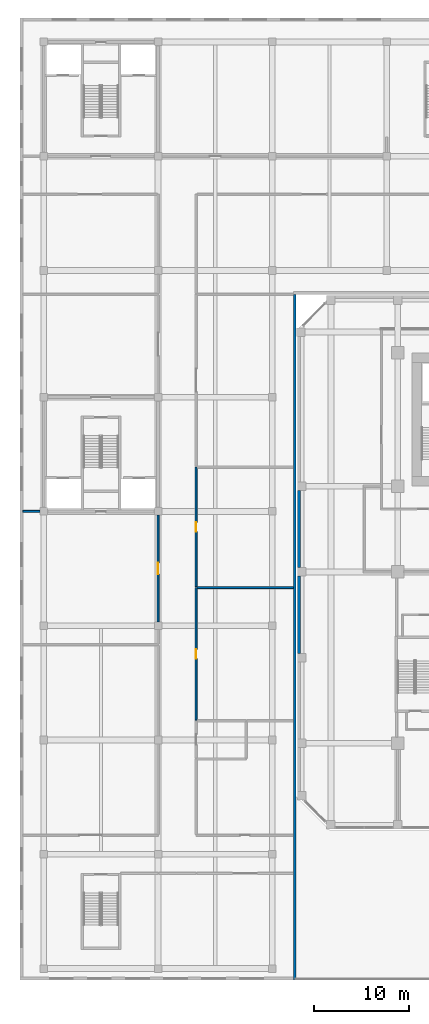
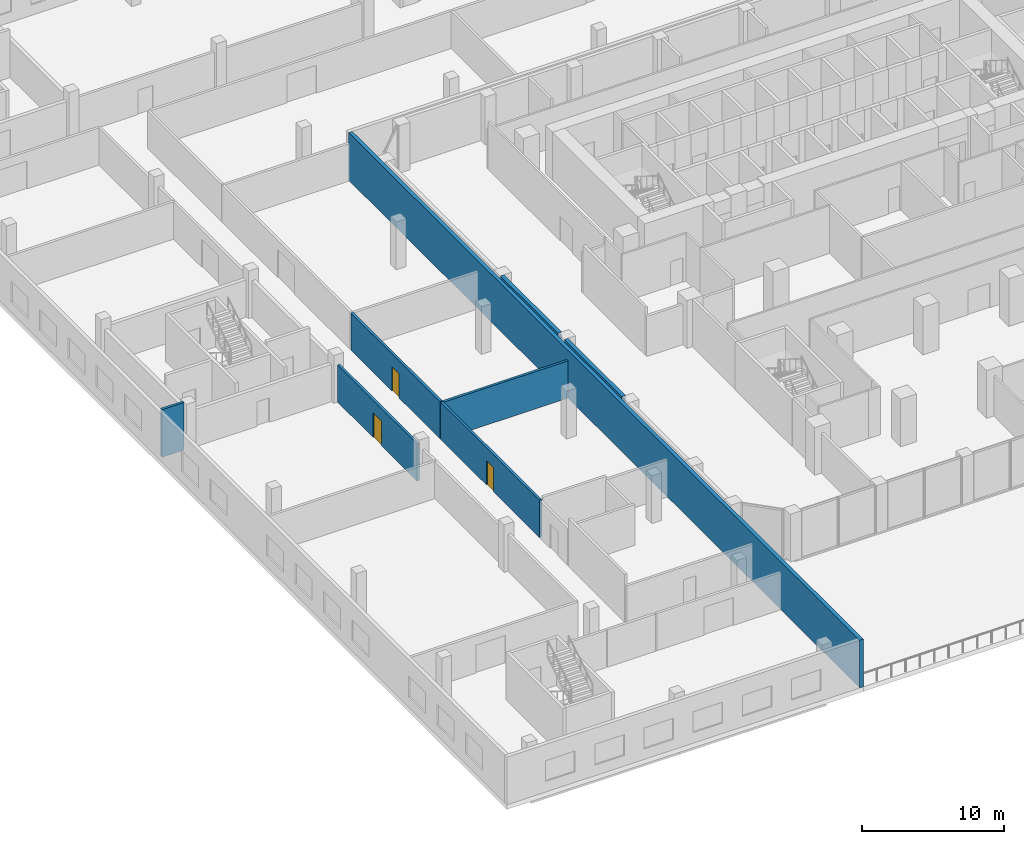
# One storey, part 18 of 38: 8 walls, 3 doors, 3 openings.
"""IFC4 building model written with IfcOpenShell, lengths in metres."""

import ifcopenshell
import ifcopenshell.guid

model = None  # the IFC model being written
_history = None  # IfcOwnerHistory: only IFC2X3 demands one
_inside = {}  # id of a spatial element -> (the spatial element, [elements in it])
_under = {}  # id of a project, library or spatial element -> (it, [spatial elements below it])
_declared = {}  # id of a project -> (the project, [libraries it declares])
_typed = {}  # id of a type object -> (the type object, [elements of that type])
_made_of = {}  # id of a material, layer set ... -> (it, [elements and type objects made of it])


def new_model(schema):
    """Start an empty IFC model of exactly this schema.

    Asked for "IFC4X3", IfcOpenShell would pick the latest addendum, in which some entities
    have other attributes; the version numbers below select the first issue.
    IFC2X3 requires an IfcOwnerHistory on every rooted entity: one is made here for all.
    """
    global model, _history
    if schema == "IFC4X3":
        model = ifcopenshell.file(schema_version=(4, 3, 0, 0))
    else:
        model = ifcopenshell.file(schema=schema)
    _inside.clear()
    _under.clear()
    _declared.clear()
    _typed.clear()
    _made_of.clear()
    _history = None
    if model.schema == "IFC2X3":
        org = make("IfcOrganization", Name="unknown")
        user = make(
            "IfcPersonAndOrganization",
            ThePerson=make("IfcPerson", FamilyName="unknown"),
            TheOrganization=org,
        )
        app = make(
            "IfcApplication",
            ApplicationDeveloper=org,
            Version="unknown",
            ApplicationFullName="unknown",
            ApplicationIdentifier="unknown",
        )
        _history = make(
            "IfcOwnerHistory",
            OwningUser=user,
            OwningApplication=app,
            ChangeAction="ADDED",
            CreationDate=0,
        )
    return model


def make(cls, **values):
    """One entity of the class cls with the attributes given. An attribute that is None is left unset."""
    return model.create_entity(
        cls, **{name: value for name, value in values.items() if value is not None}
    )


def rooted(cls, **values):
    """An entity with a GlobalId (a new one), such as an element, a storey or a relation."""
    return make(cls, GlobalId=ifcopenshell.guid.new(), OwnerHistory=_history, **values)


def si_unit(unit_type, name, prefix=None):
    """IfcSIUnit, for example si_unit("LENGTHUNIT", "METRE", prefix="MILLI")."""
    return make("IfcSIUnit", UnitType=unit_type, Prefix=prefix, Name=name)


def assignment(units):
    """IfcUnitAssignment: the units of a project."""
    return None if units is None else make("IfcUnitAssignment", Units=units)


def point(xyz):
    """IfcCartesianPoint."""
    return None if xyz is None else make("IfcCartesianPoint", Coordinates=xyz)


def direction(xyz):
    """IfcDirection."""
    return None if xyz is None else make("IfcDirection", DirectionRatios=xyz)


def frame(location, z_axis=None, x_axis=None):
    """IfcAxis2Placement3D, a coordinate frame: its origin and axes. An axis left out is left unset."""
    return make(
        "IfcAxis2Placement3D",
        Location=point(location),
        Axis=direction(z_axis),
        RefDirection=direction(x_axis),
    )


def frame_2d(location, x_axis=None):
    """IfcAxis2Placement2D, a coordinate frame in the plane: its origin and x axis."""
    return make(
        "IfcAxis2Placement2D", Location=point(location), RefDirection=direction(x_axis)
    )


def origin():
    """The frame at (0, 0, 0) with its axes left unset."""
    return frame((0.0, 0.0, 0.0))


def place(relative_to, where):
    """IfcLocalPlacement: puts the frame where relative to a parent placement (None: the world)."""
    return make(
        "IfcLocalPlacement", PlacementRelTo=relative_to, RelativePlacement=where
    )


def context(
    kind, dimensions, precision=None, world=None, true_north=None, identifier=None
):
    """IfcGeometricRepresentationContext, for example the 3D "Model" context."""
    return make(
        "IfcGeometricRepresentationContext",
        ContextIdentifier=identifier,
        ContextType=kind,
        CoordinateSpaceDimension=dimensions,
        Precision=precision,
        WorldCoordinateSystem=world,
        TrueNorth=true_north,
    )


def subcontext(parent, identifier, kind, view, scale=None):
    """IfcGeometricRepresentationSubContext, for example "Body" below "Model"."""
    return make(
        "IfcGeometricRepresentationSubContext",
        ContextIdentifier=identifier,
        ContextType=kind,
        ParentContext=parent,
        TargetScale=scale,
        TargetView=view,
    )


def project(units=None, contexts=None):
    """IfcProject with its units and contexts."""
    return rooted(
        "IfcProject",
        Name="project",
        RepresentationContexts=contexts,
        UnitsInContext=assignment(units),
    )


def spatial(cls, under=None, at=None, **own):
    """A site, building, storey or space (cls), placed at a placement, below another one or the project."""
    s = rooted(cls, ObjectPlacement=at, **own)
    if under is not None:
        _under.setdefault(under.id(), (under, []))[1].append(s)
    return s


def profile(cls, at=None, kind="AREA", **sizes):
    """A parametric profile (cls). Its sizes go by their IFC names, for example OverallWidth=200.0."""
    return make(cls, ProfileType=kind, Position=at, **sizes)


def rectangle(**sizes):
    """IfcRectangleProfileDef."""
    return profile("IfcRectangleProfileDef", **sizes)


def extrude(swept, where, along, depth):
    """IfcExtrudedAreaSolid: the profile swept, set in the frame where, extruded along a direction by depth."""
    return make(
        "IfcExtrudedAreaSolid",
        SweptArea=swept,
        Position=where,
        ExtrudedDirection=direction(along),
        Depth=depth,
    )


def shape(context_of_items, identifier, shape_type, items):
    """IfcShapeRepresentation: the items that make up one representation, for example the "Body"."""
    return make(
        "IfcShapeRepresentation",
        ContextOfItems=context_of_items,
        RepresentationIdentifier=identifier,
        RepresentationType=shape_type,
        Items=items,
    )


def source(mapping_origin, context_of_items, identifier, shape_type, items):
    """IfcRepresentationMap: a shape defined once, which mapped items show again and again."""
    return make(
        "IfcRepresentationMap",
        MappingOrigin=mapping_origin,
        MappedRepresentation=shape(context_of_items, identifier, shape_type, items),
    )


def transform(
    local_origin,
    x_axis=None,
    y_axis=None,
    z_axis=None,
    scale=None,
    scale2=None,
    scale3=None,
    uniform=True,
):
    """IfcCartesianTransformationOperator3D, or its non-uniform kind. x_axis, y_axis, z_axis: its Axis1, 2, 3."""
    if uniform:
        return make(
            "IfcCartesianTransformationOperator3D",
            Axis1=direction(x_axis),
            Axis2=direction(y_axis),
            LocalOrigin=point(local_origin),
            Scale=scale,
            Axis3=direction(z_axis),
        )
    return make(
        "IfcCartesianTransformationOperator3DnonUniform",
        Axis1=direction(x_axis),
        Axis2=direction(y_axis),
        LocalOrigin=point(local_origin),
        Scale=scale,
        Axis3=direction(z_axis),
        Scale2=scale2,
        Scale3=scale3,
    )


def mapped(mapping_source, mapping_target):
    """IfcMappedItem: shows the shape of a source again, moved by a transform."""
    return make(
        "IfcMappedItem", MappingSource=mapping_source, MappingTarget=mapping_target
    )


def material(Name=None, Category=None):
    """IfcMaterial."""
    return make("IfcMaterial", Name=Name, Category=Category)


def layer(
    of_material, thickness, ventilated=None, Name=None, Category=None, Priority=None
):
    """IfcMaterialLayer: one layer of a wall or slab, of a material (None: an air gap)."""
    return make(
        "IfcMaterialLayer",
        Material=of_material,
        LayerThickness=thickness,
        IsVentilated=ventilated,
        Name=Name,
        Category=Category,
        Priority=Priority,
    )


def layer_set(layers, Name=None):
    """IfcMaterialLayerSet."""
    return make("IfcMaterialLayerSet", MaterialLayers=layers, LayerSetName=Name)


def made_of(thing, what):
    """Note that an element or type object is made of a material, layer set ...; save() writes the relation."""
    if what is not None:
        _made_of.setdefault(what.id(), (what, []))[1].append(thing)
    return thing


def type_object(cls, material=None, **own):
    """A type object (cls), such as IfcWallType, which elements share."""
    return made_of(rooted(cls, **own), material)


def element(
    cls,
    number,
    at=None,
    inside=None,
    cuts=None,
    type_object=None,
    material=None,
    context=None,
    identifier="Body",
    shape_type=None,
    held_by="IfcProductDefinitionShape",
    body=None,
    shapes=None,
    **own,
):
    """One element of the class cls, such as IfcWall. Its Tag is "e" and its number.

    at: its placement. inside: the storey or other place that contains it. cuts: it is an
    opening in that element (IfcRelVoidsElement). A single representation is given by context,
    identifier, shape_type and body (its items); several are given by shapes. held_by: the class
    of the entity that holds the representations. save() writes the other relations.
    """
    e = rooted(cls, Tag="e%d" % number, ObjectPlacement=at, **own)
    if body is not None:
        shapes = [shape(context, identifier, shape_type, body)]
    if shapes is not None:
        e.Representation = make(held_by, Representations=shapes)
    if inside is not None:
        _inside.setdefault(inside.id(), (inside, []))[1].append(e)
    if cuts is not None:
        rooted(
            "IfcRelVoidsElement", RelatingBuildingElement=cuts, RelatedOpeningElement=e
        )
    if type_object is not None:
        _typed.setdefault(type_object.id(), (type_object, []))[1].append(e)
    return made_of(e, material)


def fill(opening, filler):
    """IfcRelFillsElement: the door or window that sits in an opening."""
    return rooted(
        "IfcRelFillsElement",
        RelatingOpeningElement=opening,
        RelatedBuildingElement=filler,
    )


def aggregate(whole, parts):
    """IfcRelAggregates: a whole, such as a stair, and the parts it consists of."""
    return rooted("IfcRelAggregates", RelatingObject=whole, RelatedObjects=parts)


def save(model, path):
    """Write the relations noted so far, then the file.

    IfcRelAggregates (storeys below a building ...), IfcRelContainedInSpatialStructure (elements
    in a storey), IfcRelDefinesByType, IfcRelAssociatesMaterial and IfcRelDeclares: one each for
    every whole, place, type object, material and project.
    """
    for whole, parts in _under.values():
        aggregate(whole, parts)
    for where, things in _inside.values():
        rooted(
            "IfcRelContainedInSpatialStructure",
            RelatedElements=things,
            RelatingStructure=where,
        )
    for kind, things in _typed.values():
        rooted("IfcRelDefinesByType", RelatedObjects=things, RelatingType=kind)
    for what, things in _made_of.values():
        rooted("IfcRelAssociatesMaterial", RelatedObjects=things, RelatingMaterial=what)
    for by, libraries in _declared.values():
        rooted("IfcRelDeclares", RelatingContext=by, RelatedDefinitions=libraries)
    model.write(path)


model = new_model("IFC4")

# Units and contexts
model_context = context("Model", 3, precision=1e-05, world=origin(), true_north=direction((0.0, 1.0)))
body_context = subcontext(model_context, "Body", "Model", "MODEL_VIEW")
ifc_project = project(units=[si_unit("LENGTHUNIT", "METRE"), si_unit("AREAUNIT", "SQUARE_METRE"), si_unit("VOLUMEUNIT", "CUBIC_METRE"), si_unit("PLANEANGLEUNIT", "RADIAN"), si_unit("MASSUNIT", "GRAM", prefix="KILO")], contexts=[model_context])

# Site, building, storey
site_placement = place(None, origin())
site = spatial("IfcSite", under=ifc_project, at=site_placement, CompositionType="ELEMENT")
building_placement = place(site_placement, origin())
building = spatial("IfcBuilding", under=site, at=building_placement, Name="Kilnfold Tower and Market Hall", CompositionType="ELEMENT")
storey_placement = place(building_placement, frame((0.0, 0.0, 9.0)))
storey = spatial("IfcBuildingStorey", under=building, at=storey_placement, Name="L01", CompositionType="ELEMENT", Elevation=9.0)

# Walls
ifc_material_1 = material(Name="Precast concrete C50/60", Category="concrete")
ifc_layer_1 = layer(ifc_material_1, 0.300048828125)
ifc_layer_set_1 = layer_set([ifc_layer_1], Name="Precast concrete C50/60")
wall_type_1 = type_object("IfcWallType", Name="PRECAST WALL 300", PredefinedType="SOLIDWALL", material=ifc_layer_set_1)
shared_shape_1 = source(origin(), body_context, "Body", "SweptSolid", [
    extrude(rectangle(XDim=8.10009765625, YDim=0.300048828125, at=frame_2d((4.050048828125, 0.0))), origin(), (0.0, 0.0, 1.0), 4.10009765625),
])
for number, where, z_axis, x_axis, name in (
    (1, (-27.85009765625, 7.550048828125, 0.0), (0.0, 0.0, 1.0), (0.0, -1.0, 0.0), "Party wall L01 W"),
    (2, (-27.85009765625, -1.449951171875, 0.0), (0.0, 0.0, 1.0), (0.0, -1.0, 0.0), "Party wall L01 W"),
):
    element("IfcWall", number, at=place(storey_placement, frame(where, z_axis=z_axis, x_axis=x_axis)), inside=storey, type_object=wall_type_1, Name=name, PredefinedType="SOLIDWALL", context=body_context, shape_type="MappedRepresentation", body=[
        mapped(shared_shape_1, transform((0.0, 0.0, 0.0))),
    ])
ifc_material_2 = material(Name="Concrete blockwork", Category="masonry")
ifc_layer_2 = layer(ifc_material_2, 0.300048828125)
ifc_layer_set_2 = layer_set([ifc_layer_2], Name="Concrete blockwork")
wall_type_2 = type_object("IfcWallType", Name="HALL EXTERNAL WALL 300 EI 120", PredefinedType="SOLIDWALL", material=ifc_layer_set_2)
shared_shape_2 = source(origin(), body_context, "Body", "SweptSolid", [
    extrude(rectangle(XDim=72.0, YDim=0.300048828125, at=frame_2d((36.0, 0.0))), origin(), (0.0, 0.0, 1.0), 4.10009765625),
])
wall_1_placement = place(storey_placement, frame((-28.300048828125, 28.14990234375, 0.0), z_axis=(0.0, 0.0, 1.0), x_axis=(0.0, -1.0, 0.0)))
element("IfcWall", 3, at=wall_1_placement, inside=storey, type_object=wall_type_2, Name="Joint wall MEW-L01.5", PredefinedType="SOLIDWALL", context=body_context, shape_type="MappedRepresentation", body=[
    mapped(shared_shape_2, transform((0.0, 0.0, 0.0))),
])
ifc_material_3 = material(Name="Concrete blockwork", Category="masonry")
ifc_layer_3 = layer(ifc_material_3, 0.199951171875)
ifc_layer_set_3 = layer_set([ifc_layer_3], Name="Concrete blockwork")
wall_type_3 = type_object("IfcWallType", Name="HALL PARTITION 200 EI 120", PredefinedType="PARTITIONING", material=ifc_layer_set_3)
shared_shape_3 = source(origin(), body_context, "Body", "SweptSolid", [
    extrude(rectangle(XDim=1.800048828125, YDim=0.199951171875, at=frame_2d((0.89990234375, 0.0))), origin(), (0.0, 0.0, 1.0), 4.10009765625),
])
wall_2_placement = place(storey_placement, frame((-56.85009765625, 5.35009765625, 0.0), z_axis=(0.0, 0.0, 1.0), x_axis=(1.0, 0.0, 0.0)))
element("IfcWall", 4, at=wall_2_placement, inside=storey, type_object=wall_type_3, Name="Partition W-MH-L01.3", PredefinedType="PARTITIONING", context=body_context, shape_type="MappedRepresentation", body=[
    mapped(shared_shape_3, transform((0.0, 0.0, 0.0))),
])

# Wall, opening, door
shared_shape_4 = source(origin(), body_context, "Body", "SweptSolid", [
    extrude(rectangle(XDim=11.199951171875, YDim=0.199951171875, at=frame_2d((5.60009765625, 0.0))), origin(), (0.0, 0.0, 1.0), 3.199951171875),
])
wall_3_placement = place(storey_placement, frame((-42.64990234375, -6.25, 0.0), z_axis=(0.0, 0.0, 1.0), x_axis=(0.0, 1.0, 0.0)))
wall_3 = element("IfcWall", 5, at=wall_3_placement, inside=storey, type_object=wall_type_3, Name="Partition W-MH-L01.10", PredefinedType="PARTITIONING", context=body_context, shape_type="MappedRepresentation", body=[
    mapped(shared_shape_4, transform((0.0, 0.0, 0.0))),
])
opening_1_placement = place(wall_3_placement, frame((5.0, 0.0, 0.0)))
opening_1 = element("IfcOpeningElement", 6, at=opening_1_placement, cuts=wall_3, Name="Opening MD3-120", PredefinedType="OPENING", context=body_context, shape_type="SweptSolid", body=[
    extrude(rectangle(XDim=1.199951171875, YDim=2.10009765625, at=frame_2d((0.60009765625, 1.050048828125))), frame((0.0, 0.10986328125, 0.0), z_axis=(0.0, -1.0, 0.0), x_axis=(1.0, 0.0, 0.0)), (0.0, 0.0, 1.0), 0.219970703125),
])
ifc_material_4 = material(Name="Steel S355", Category="steel")
door_type_1 = type_object("IfcDoorType", Name="HALL DOOR SERVICE 1200X2100 FD120", OperationType="NOTDEFINED", PredefinedType="DOOR", material=ifc_material_4)
door_1_placement = place(opening_1_placement, origin())
door_1 = element("IfcDoor", 7, at=door_1_placement, inside=storey, type_object=door_type_1, Name="Door MD3-120", OperationType="SINGLE_SWING_LEFT", OverallHeight=2.10009765625, OverallWidth=1.199951171875, PredefinedType="DOOR", context=body_context, shape_type="SweptSolid", body=[
    extrude(rectangle(XDim=1.199951171875, YDim=2.10009765625, at=frame_2d((0.60009765625, 1.050048828125))), frame((0.0, 0.02490234375, 0.0), z_axis=(0.0, -1.0, 0.0), x_axis=(1.0, 0.0, 0.0)), (0.0, 0.0, 1.0), 0.050048828125),
])
fill(opening_1, door_1)

ifc_material_5 = material(Name="Concrete blockwork", Category="masonry")
ifc_layer_4 = layer(ifc_material_5, 0.199951171875)
ifc_layer_set_4 = layer_set([ifc_layer_4], Name="Concrete blockwork")
wall_type_4 = type_object("IfcWallType", Name="HALL PARTITION 200 EI 60", PredefinedType="PARTITIONING", material=ifc_layer_set_4)
shared_shape_5 = source(origin(), body_context, "Body", "SweptSolid", [
    extrude(rectangle(XDim=13.900146484375, YDim=0.199951171875, at=frame_2d((6.9501953125, 0.0))), origin(), (0.0, 0.0, 1.0), 3.199951171875),
])
wall_4_placement = place(storey_placement, frame((-38.64990234375, -2.64990234375, 0.0), z_axis=(0.0, 0.0, 1.0), x_axis=(0.0, -1.0, 0.0)))
wall_4 = element("IfcWall", 8, at=wall_4_placement, inside=storey, type_object=wall_type_4, Name="Partition W-MH-L01.22", PredefinedType="PARTITIONING", context=body_context, shape_type="MappedRepresentation", body=[
    mapped(shared_shape_5, transform((0.0, 0.0, 0.0))),
])
opening_2_placement = place(wall_4_placement, frame((6.449951171875, 0.0, 0.0)))
opening_2 = element("IfcOpeningElement", 9, at=opening_2_placement, cuts=wall_4, Name="Opening MD5-60", PredefinedType="OPENING", context=body_context, shape_type="SweptSolid", body=[
    extrude(rectangle(XDim=1.0, YDim=2.10009765625, at=frame_2d((0.5, 1.050048828125))), frame((0.0, 0.10986328125, 0.0), z_axis=(0.0, -1.0, 0.0), x_axis=(1.0, 0.0, 0.0)), (0.0, 0.0, 1.0), 0.219970703125),
])
ifc_material_6 = material(Name="Timber", Category="wood")
door_type_2 = type_object("IfcDoorType", Name="HALL DOOR OFFICE 1000X2100 FD60", OperationType="NOTDEFINED", PredefinedType="DOOR", material=ifc_material_6)
door_2_placement = place(opening_2_placement, origin())
door_2 = element("IfcDoor", 10, at=door_2_placement, inside=storey, type_object=door_type_2, Name="Door MD5-60", OperationType="SINGLE_SWING_RIGHT", OverallHeight=2.10009765625, OverallWidth=1.0, PredefinedType="DOOR", context=body_context, shape_type="SweptSolid", body=[
    extrude(rectangle(XDim=1.0, YDim=2.10009765625, at=frame_2d((0.5, 1.050048828125))), frame((0.0, 0.02490234375, 0.0), z_axis=(0.0, -1.0, 0.0), x_axis=(1.0, 0.0, 0.0)), (0.0, 0.0, 1.0), 0.050048828125),
])
fill(opening_2, door_2)

# Wall
shared_shape_6 = source(origin(), body_context, "Body", "SweptSolid", [
    extrude(rectangle(XDim=10.10009765625, YDim=0.199951171875, at=frame_2d((5.050048828125, 0.0))), origin(), (0.0, 0.0, 1.0), 3.199951171875),
])
wall_5_placement = place(storey_placement, frame((-38.550048828125, -2.64990234375, 0.0), z_axis=(0.0, 0.0, 1.0), x_axis=(1.0, 0.0, 0.0)))
element("IfcWall", 11, at=wall_5_placement, inside=storey, type_object=wall_type_4, Name="Partition W-MH-L01.23", PredefinedType="PARTITIONING", context=body_context, shape_type="MappedRepresentation", body=[
    mapped(shared_shape_6, transform((0.0, 0.0, 0.0))),
])

# Wall, opening, door
shared_shape_7 = source(origin(), body_context, "Body", "SweptSolid", [
    extrude(rectangle(XDim=12.550048828125, YDim=0.199951171875, at=frame_2d((6.27490234375, 0.0))), origin(), (0.0, 0.0, 1.0), 3.199951171875),
])
wall_6_placement = place(storey_placement, frame((-38.64990234375, 10.0, 0.0), z_axis=(0.0, 0.0, 1.0), x_axis=(0.0, -1.0, 0.0)))
wall_6 = element("IfcWall", 12, at=wall_6_placement, inside=storey, type_object=wall_type_4, Name="Partition W-MH-L01.24", PredefinedType="PARTITIONING", context=body_context, shape_type="MappedRepresentation", body=[
    mapped(shared_shape_7, transform((0.0, 0.0, 0.0))),
])
opening_3_placement = place(wall_6_placement, frame((5.77490234375, 0.0, 0.0)))
opening_3 = element("IfcOpeningElement", 13, at=opening_3_placement, cuts=wall_6, Name="Opening MD5-60", PredefinedType="OPENING", context=body_context, shape_type="SweptSolid", body=[
    extrude(rectangle(XDim=1.0, YDim=2.10009765625, at=frame_2d((0.5, 1.050048828125))), frame((0.0, 0.10986328125, 0.0), z_axis=(0.0, -1.0, 0.0), x_axis=(1.0, 0.0, 0.0)), (0.0, 0.0, 1.0), 0.219970703125),
])
door_3_placement = place(opening_3_placement, origin())
door_3 = element("IfcDoor", 14, at=door_3_placement, inside=storey, type_object=door_type_2, Name="Door MD5-60", OperationType="SINGLE_SWING_LEFT", OverallHeight=2.10009765625, OverallWidth=1.0, PredefinedType="DOOR", context=body_context, shape_type="SweptSolid", body=[
    extrude(rectangle(XDim=1.0, YDim=2.10009765625, at=frame_2d((0.5, 1.050048828125))), frame((0.0, 0.02490234375, 0.0), z_axis=(0.0, -1.0, 0.0), x_axis=(1.0, 0.0, 0.0)), (0.0, 0.0, 1.0), 0.050048828125),
])
fill(opening_3, door_3)

save(model, "model.ifc")
